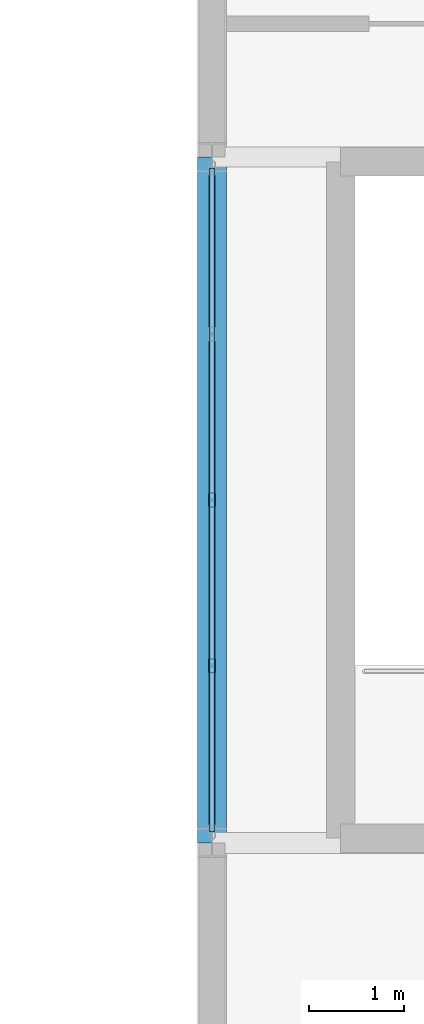
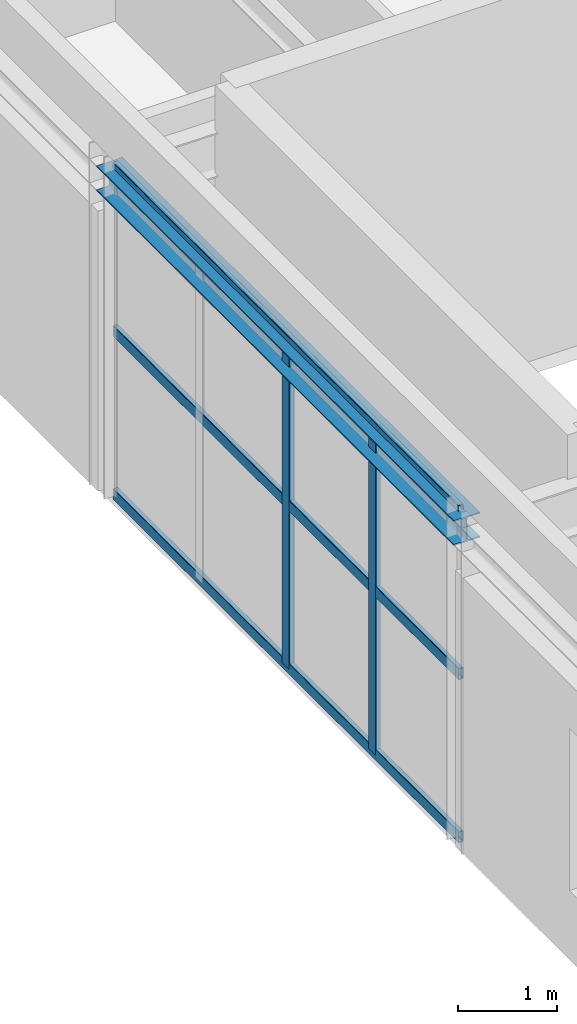
# One storey, part 59 of 77: 5 members, 1 beam, 1 element without a shape of its own.
"""IFC4 building model written with IfcOpenShell, lengths in metres."""

from ifc_helpers import new_model, si_unit, derived_unit, direction, frame, origin, origin_2d, place, context, subcontext, project, spatial, hollow_rectangle, i_section, extrude, material, material_profile, profile_set, type_object, element, aggregate, save


model = new_model("IFC4")

# Units and contexts
model_context = context("Model", 3, precision=1e-05, world=origin(), true_north=direction((0.0, 1.0)))
body_context = subcontext(model_context, "Body", "Model", "MODEL_VIEW")
ifc_project = project(units=[si_unit("LENGTHUNIT", "METRE"), si_unit("AREAUNIT", "SQUARE_METRE"), si_unit("VOLUMEUNIT", "CUBIC_METRE"), si_unit("PLANEANGLEUNIT", "RADIAN"), si_unit("MASSUNIT", "GRAM", prefix="KILO"), derived_unit("THERMALTRANSMITTANCEUNIT", [(si_unit("MASSUNIT", "GRAM", prefix="KILO"), 1), (si_unit("TIMEUNIT", "SECOND"), -3), (si_unit("THERMODYNAMICTEMPERATUREUNIT", "KELVIN"), -1)])], contexts=[model_context])

# Site, building, storey
site_placement = place(None, origin())
site = spatial("IfcSite", under=ifc_project, at=site_placement, CompositionType="ELEMENT")
building_placement = place(site_placement, origin())
building = spatial("IfcBuilding", under=site, at=building_placement, Name="Kharveza Railside Sports Centre", CompositionType="ELEMENT")
storey_placement = place(building_placement, frame((0.0, 0.0, 17.10009765625)))
storey = spatial("IfcBuildingStorey", under=building, at=storey_placement, Name="L04", CompositionType="ELEMENT", Elevation=17.10009765625)

# Beam
ifc_material_1 = material(Name="Steel S355J2", Category="steel")
ifc_material_profile_1 = material_profile(ifc_material_1, i_section(OverallWidth=0.300048828125, OverallDepth=0.31005859375, WebThickness=0.009033203125, FlangeThickness=0.015380859375, FilletRadius=0.027099609375, at=origin_2d()), Name="HEA 320")
ifc_profile_set_1 = profile_set([ifc_material_profile_1], Name="Steel S355J2")
beam_type = type_object("IfcBeamType", Name="BM-S06", PredefinedType="BEAM", material=ifc_profile_set_1)
beam_placement = place(storey_placement, frame((142.800048828125, 57.60009765625, 3.85498046875), z_axis=(0.0, 1.0, 0.0), x_axis=(-1.0, 0.0, 0.0)))
element("IfcBeam", 1, at=beam_placement, inside=storey, type_object=beam_type, Name="BM-NS-L04-B14-X1428-Y576", PredefinedType="BEAM", context=body_context, shape_type="SweptSolid", body=[
    extrude(i_section(OverallWidth=0.300048828125, OverallDepth=0.31005859375, WebThickness=0.009033203125, FlangeThickness=0.015380859375, FilletRadius=0.027099609375, at=origin_2d()), origin(), (0.0, 0.0, 1.0), 7.199951171875),
])

# Curtain wall, members
ifc_material_2 = material(Name="Low-E solar-control laminated glass", Category="glass")
curtain_wall_type = type_object("IfcCurtainWallType", Name="CW-WG04", PredefinedType="NOTDEFINED", material=ifc_material_2)
curtain_wall_placement = place(storey_placement, origin())
curtain_wall = element("IfcCurtainWall", 2, at=curtain_wall_placement, inside=storey, type_object=curtain_wall_type, Name="CW-WG-L04-CW-WG04-X1428-Y612", PredefinedType="NOTDEFINED")
ifc_material_3 = material(Name="Anodised aluminium 6063-T6", Category="aluminium")
ifc_material_profile_2 = material_profile(ifc_material_3, hollow_rectangle(XDim=0.06494140625, YDim=0.14990234375, WallThickness=0.0048828125, InnerFilletRadius=0.0048828125, OuterFilletRadius=0.010009765625, at=origin_2d()), Name="RHS 65x150x5.0")
ifc_profile_set_2 = profile_set([ifc_material_profile_2], Name="Anodised aluminium 6063-T6")
member_type_1 = type_object("IfcMemberType", Name="CW-ML04", PredefinedType="MULLION", material=ifc_profile_set_2)
member_1_placement = place(storey_placement, frame((142.800048828125, 61.199951171875, 0.0), z_axis=(0.0, 0.0, 1.0), x_axis=(1.0, 0.0, 0.0)))
member_1 = element("IfcMember", 3, at=member_1_placement, type_object=member_type_1, Name="CW-WG-L04-CW-WG04-X1428-Y612-ML3", PredefinedType="MULLION", context=body_context, shape_type="SweptSolid", body=[
    extrude(hollow_rectangle(XDim=0.06494140625, YDim=0.14990234375, WallThickness=0.0048828125, InnerFilletRadius=0.0048828125, OuterFilletRadius=0.010009765625, at=origin_2d()), origin(), (0.0, 0.0, 1.0), 4.010009765625),
])
member_2_placement = place(storey_placement, frame((142.800048828125, 59.4599609375, 0.0), z_axis=(0.0, 0.0, 1.0), x_axis=(1.0, 0.0, 0.0)))
member_2 = element("IfcMember", 4, at=member_2_placement, type_object=member_type_1, Name="CW-WG-L04-CW-WG04-X1428-Y612-ML4", PredefinedType="MULLION", context=body_context, shape_type="SweptSolid", body=[
    extrude(hollow_rectangle(XDim=0.06494140625, YDim=0.14990234375, WallThickness=0.0048828125, InnerFilletRadius=0.0048828125, OuterFilletRadius=0.010009765625, at=origin_2d()), origin(), (0.0, 0.0, 1.0), 4.010009765625),
])
ifc_material_profile_3 = material_profile(ifc_material_3, hollow_rectangle(XDim=0.06005859375, YDim=0.139892578125, WallThickness=0.0048828125, InnerFilletRadius=0.0048828125, OuterFilletRadius=0.010009765625, at=origin_2d()), Name="RHS 60x140x5.0")
ifc_profile_set_3 = profile_set([ifc_material_profile_3], Name="Anodised aluminium 6063-T6")
member_type_2 = type_object("IfcMemberType", Name="CW-TR04", PredefinedType="USERDEFINED", material=ifc_profile_set_3)
member_3_placement = place(storey_placement, frame((142.800048828125, 64.679931640625, 0.0), z_axis=(0.0, -1.0, 0.0), x_axis=(1.0, 0.0, 0.0)))
member_3 = element("IfcMember", 5, at=member_3_placement, type_object=member_type_2, Name="CW-WG-L04-CW-WG04-X1428-Y612-TR1", ObjectType="TRANSOM", PredefinedType="USERDEFINED", context=body_context, shape_type="SweptSolid", body=[
    extrude(hollow_rectangle(XDim=0.06005859375, YDim=0.139892578125, WallThickness=0.0048828125, InnerFilletRadius=0.0048828125, OuterFilletRadius=0.010009765625, at=origin_2d()), origin(), (0.0, 0.0, 1.0), 6.9599609375),
])
member_4_placement = place(storey_placement, frame((142.800048828125, 64.679931640625, 2.0048828125), z_axis=(0.0, -1.0, 0.0), x_axis=(1.0, 0.0, 0.0)))
member_4 = element("IfcMember", 6, at=member_4_placement, type_object=member_type_2, Name="CW-WG-L04-CW-WG04-X1428-Y612-TR2", ObjectType="TRANSOM", PredefinedType="USERDEFINED", context=body_context, shape_type="SweptSolid", body=[
    extrude(hollow_rectangle(XDim=0.06005859375, YDim=0.139892578125, WallThickness=0.0048828125, InnerFilletRadius=0.0048828125, OuterFilletRadius=0.010009765625, at=origin_2d()), origin(), (0.0, 0.0, 1.0), 6.9599609375),
])
member_5_placement = place(storey_placement, frame((142.800048828125, 64.679931640625, 4.010009765625), z_axis=(0.0, -1.0, 0.0), x_axis=(1.0, 0.0, 0.0)))
member_5 = element("IfcMember", 7, at=member_5_placement, type_object=member_type_2, Name="CW-WG-L04-CW-WG04-X1428-Y612-TR3", ObjectType="TRANSOM", PredefinedType="USERDEFINED", context=body_context, shape_type="SweptSolid", body=[
    extrude(hollow_rectangle(XDim=0.06005859375, YDim=0.139892578125, WallThickness=0.0048828125, InnerFilletRadius=0.0048828125, OuterFilletRadius=0.010009765625, at=origin_2d()), origin(), (0.0, 0.0, 1.0), 6.9599609375),
])
aggregate(curtain_wall, [member_1, member_2, member_3, member_4, member_5])

save(model, "model.ifc")
